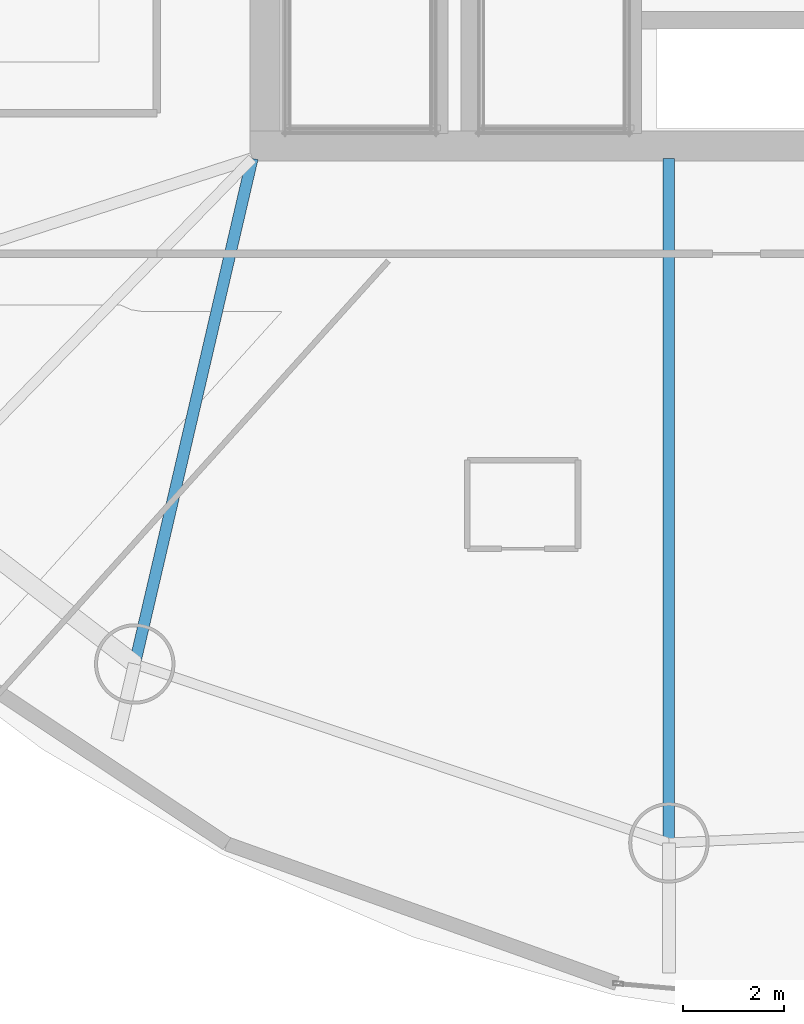
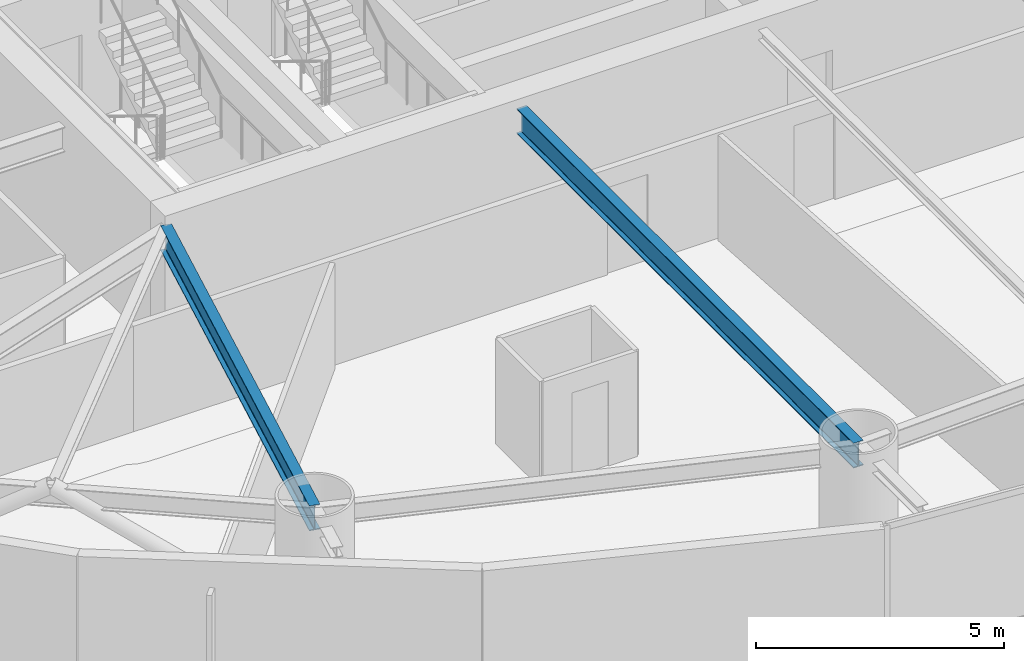
# One storey, part 3 of 24: 2 beams.
"""IFC4 building model written with IfcOpenShell, lengths in metres."""

from ifc_helpers import new_model, si_unit, direction, frame, origin, origin_2d, place, context, subcontext, project, spatial, i_section, extrude, material, material_profile, profile_set, type_object, element, save


model = new_model("IFC4")

# Units and contexts
model_context = context("Model", 3, precision=1e-05, world=origin(), true_north=direction((0.0, 1.0)))
body_context = subcontext(model_context, "Body", "Model", "MODEL_VIEW")
ifc_project = project(units=[si_unit("LENGTHUNIT", "METRE"), si_unit("AREAUNIT", "SQUARE_METRE"), si_unit("VOLUMEUNIT", "CUBIC_METRE"), si_unit("PLANEANGLEUNIT", "RADIAN"), si_unit("MASSUNIT", "GRAM", prefix="KILO")], contexts=[model_context])

# Site, building, storey
site_placement = place(None, origin())
site = spatial("IfcSite", under=ifc_project, at=site_placement, CompositionType="ELEMENT")
building_placement = place(site_placement, origin())
building = spatial("IfcBuilding", under=site, at=building_placement, Name="Bramvorn Convention Spire", CompositionType="ELEMENT")
storey_placement = place(building_placement, frame((0.0, 0.0, 83.39990234375)))
storey = spatial("IfcBuildingStorey", under=building, at=storey_placement, Name="L19", CompositionType="ELEMENT", Elevation=83.39990234375)

# Beams
ifc_material = material(Name="Steel CSA G40.21 Grade 350 (350W)", Category="steel")
ifc_material_profile = material_profile(ifc_material, i_section(OverallWidth=0.22998046875, OverallDepth=0.616943359375, WebThickness=0.01318359375, FlangeThickness=0.022216796875, FilletRadius=0.02001953125, at=origin_2d()))
ifc_profile_set = profile_set([ifc_material_profile], Name="Steel CSA G40.21 Grade 350 (350W) - W610X140")
beam_type = type_object("IfcBeamType", Name="BM-W610X140", PredefinedType="BEAM", material=ifc_profile_set)
beam_1_placement = place(storey_placement, frame((26.75, 18.550048828125, 2.941650390625), z_axis=(-0.226606328522, -0.973986433106, 0.0), x_axis=(0.973986433106, -0.226606328522, 0.0)))
element("IfcBeam", 1, at=beam_1_placement, inside=storey, type_object=beam_type, Name="L19 radial floor girder MC12", PredefinedType="BEAM", context=body_context, shape_type="SweptSolid", body=[
    extrude(i_section(OverallWidth=0.22998046875, OverallDepth=0.616943359375, WebThickness=0.01318359375, FlangeThickness=0.022216796875, FilletRadius=0.02001953125, at=origin_2d()), origin(), (0.0, 0.0, 1.0), 10.32763671875),
])
beam_2_placement = place(storey_placement, frame((35.0390625, 18.550048828125, 2.941650390625), z_axis=(0.0, -1.0, 0.0), x_axis=(1.0, 0.0, 0.0)))
element("IfcBeam", 2, at=beam_2_placement, inside=storey, type_object=beam_type, Name="L19 radial floor girder MC13", PredefinedType="BEAM", context=body_context, shape_type="SweptSolid", body=[
    extrude(i_section(OverallWidth=0.22998046875, OverallDepth=0.616943359375, WebThickness=0.01318359375, FlangeThickness=0.022216796875, FilletRadius=0.02001953125, at=origin_2d()), origin(), (0.0, 0.0, 1.0), 13.618896484375),
])

save(model, "model.ifc")
